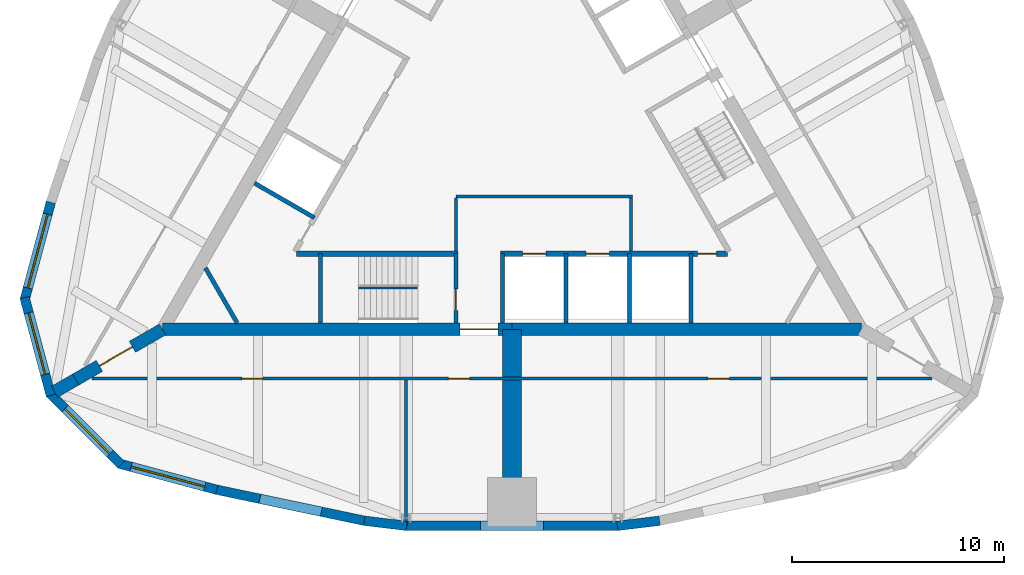
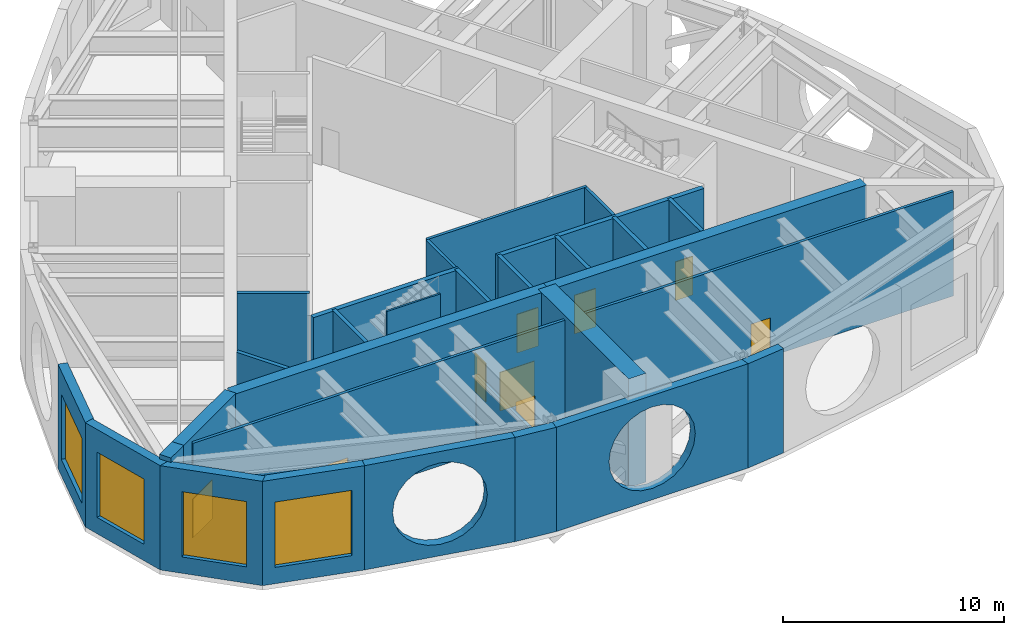
# One storey, part 2 of 6: 29 walls, 9 doors, 4 windows, 13 openings.
"""IFC4 building model written with IfcOpenShell, lengths in metres."""

import ifcopenshell
import ifcopenshell.guid

model = None  # the IFC model being written
_history = None  # IfcOwnerHistory: only IFC2X3 demands one
_inside = {}  # id of a spatial element -> (the spatial element, [elements in it])
_under = {}  # id of a project, library or spatial element -> (it, [spatial elements below it])
_declared = {}  # id of a project -> (the project, [libraries it declares])
_typed = {}  # id of a type object -> (the type object, [elements of that type])
_made_of = {}  # id of a material, layer set ... -> (it, [elements and type objects made of it])


def new_model(schema):
    """Start an empty IFC model of exactly this schema.

    Asked for "IFC4X3", IfcOpenShell would pick the latest addendum, in which some entities
    have other attributes; the version numbers below select the first issue.
    IFC2X3 requires an IfcOwnerHistory on every rooted entity: one is made here for all.
    """
    global model, _history
    if schema == "IFC4X3":
        model = ifcopenshell.file(schema_version=(4, 3, 0, 0))
    else:
        model = ifcopenshell.file(schema=schema)
    _inside.clear()
    _under.clear()
    _declared.clear()
    _typed.clear()
    _made_of.clear()
    _history = None
    if model.schema == "IFC2X3":
        org = make("IfcOrganization", Name="unknown")
        user = make(
            "IfcPersonAndOrganization",
            ThePerson=make("IfcPerson", FamilyName="unknown"),
            TheOrganization=org,
        )
        app = make(
            "IfcApplication",
            ApplicationDeveloper=org,
            Version="unknown",
            ApplicationFullName="unknown",
            ApplicationIdentifier="unknown",
        )
        _history = make(
            "IfcOwnerHistory",
            OwningUser=user,
            OwningApplication=app,
            ChangeAction="ADDED",
            CreationDate=0,
        )
    return model


def make(cls, **values):
    """One entity of the class cls with the attributes given. An attribute that is None is left unset."""
    return model.create_entity(
        cls, **{name: value for name, value in values.items() if value is not None}
    )


def rooted(cls, **values):
    """An entity with a GlobalId (a new one), such as an element, a storey or a relation."""
    return make(cls, GlobalId=ifcopenshell.guid.new(), OwnerHistory=_history, **values)


def si_unit(unit_type, name, prefix=None):
    """IfcSIUnit, for example si_unit("LENGTHUNIT", "METRE", prefix="MILLI")."""
    return make("IfcSIUnit", UnitType=unit_type, Prefix=prefix, Name=name)


def assignment(units):
    """IfcUnitAssignment: the units of a project."""
    return None if units is None else make("IfcUnitAssignment", Units=units)


def point(xyz):
    """IfcCartesianPoint."""
    return None if xyz is None else make("IfcCartesianPoint", Coordinates=xyz)


def direction(xyz):
    """IfcDirection."""
    return None if xyz is None else make("IfcDirection", DirectionRatios=xyz)


def frame(location, z_axis=None, x_axis=None):
    """IfcAxis2Placement3D, a coordinate frame: its origin and axes. An axis left out is left unset."""
    return make(
        "IfcAxis2Placement3D",
        Location=point(location),
        Axis=direction(z_axis),
        RefDirection=direction(x_axis),
    )


def frame_2d(location, x_axis=None):
    """IfcAxis2Placement2D, a coordinate frame in the plane: its origin and x axis."""
    return make(
        "IfcAxis2Placement2D", Location=point(location), RefDirection=direction(x_axis)
    )


def origin():
    """The frame at (0, 0, 0) with its axes left unset."""
    return frame((0.0, 0.0, 0.0))


def place(relative_to, where):
    """IfcLocalPlacement: puts the frame where relative to a parent placement (None: the world)."""
    return make(
        "IfcLocalPlacement", PlacementRelTo=relative_to, RelativePlacement=where
    )


def context(
    kind, dimensions, precision=None, world=None, true_north=None, identifier=None
):
    """IfcGeometricRepresentationContext, for example the 3D "Model" context."""
    return make(
        "IfcGeometricRepresentationContext",
        ContextIdentifier=identifier,
        ContextType=kind,
        CoordinateSpaceDimension=dimensions,
        Precision=precision,
        WorldCoordinateSystem=world,
        TrueNorth=true_north,
    )


def subcontext(parent, identifier, kind, view, scale=None):
    """IfcGeometricRepresentationSubContext, for example "Body" below "Model"."""
    return make(
        "IfcGeometricRepresentationSubContext",
        ContextIdentifier=identifier,
        ContextType=kind,
        ParentContext=parent,
        TargetScale=scale,
        TargetView=view,
    )


def project(units=None, contexts=None):
    """IfcProject with its units and contexts."""
    return rooted(
        "IfcProject",
        Name="project",
        RepresentationContexts=contexts,
        UnitsInContext=assignment(units),
    )


def spatial(cls, under=None, at=None, **own):
    """A site, building, storey or space (cls), placed at a placement, below another one or the project."""
    s = rooted(cls, ObjectPlacement=at, **own)
    if under is not None:
        _under.setdefault(under.id(), (under, []))[1].append(s)
    return s


def polyline(points):
    """IfcPolyline through the points."""
    return make("IfcPolyline", Points=[point(p) for p in points])


def profile(cls, at=None, kind="AREA", **sizes):
    """A parametric profile (cls). Its sizes go by their IFC names, for example OverallWidth=200.0."""
    return make(cls, ProfileType=kind, Position=at, **sizes)


def rectangle(**sizes):
    """IfcRectangleProfileDef."""
    return profile("IfcRectangleProfileDef", **sizes)


def outline(outer, holes=None, kind="AREA"):
    """IfcArbitraryClosedProfileDef: a profile drawn as a closed curve; with holes, ...WithVoids."""
    if holes is None:
        return make("IfcArbitraryClosedProfileDef", ProfileType=kind, OuterCurve=outer)
    return make(
        "IfcArbitraryProfileDefWithVoids",
        ProfileType=kind,
        OuterCurve=outer,
        InnerCurves=holes,
    )


def extrude(swept, where, along, depth):
    """IfcExtrudedAreaSolid: the profile swept, set in the frame where, extruded along a direction by depth."""
    return make(
        "IfcExtrudedAreaSolid",
        SweptArea=swept,
        Position=where,
        ExtrudedDirection=direction(along),
        Depth=depth,
    )


def shape(context_of_items, identifier, shape_type, items):
    """IfcShapeRepresentation: the items that make up one representation, for example the "Body"."""
    return make(
        "IfcShapeRepresentation",
        ContextOfItems=context_of_items,
        RepresentationIdentifier=identifier,
        RepresentationType=shape_type,
        Items=items,
    )


def material(Name=None, Category=None):
    """IfcMaterial."""
    return make("IfcMaterial", Name=Name, Category=Category)


def layer(
    of_material, thickness, ventilated=None, Name=None, Category=None, Priority=None
):
    """IfcMaterialLayer: one layer of a wall or slab, of a material (None: an air gap)."""
    return make(
        "IfcMaterialLayer",
        Material=of_material,
        LayerThickness=thickness,
        IsVentilated=ventilated,
        Name=Name,
        Category=Category,
        Priority=Priority,
    )


def layer_set(layers, Name=None):
    """IfcMaterialLayerSet."""
    return make("IfcMaterialLayerSet", MaterialLayers=layers, LayerSetName=Name)


def made_of(thing, what):
    """Note that an element or type object is made of a material, layer set ...; save() writes the relation."""
    if what is not None:
        _made_of.setdefault(what.id(), (what, []))[1].append(thing)
    return thing


def type_object(cls, material=None, **own):
    """A type object (cls), such as IfcWallType, which elements share."""
    return made_of(rooted(cls, **own), material)


def element(
    cls,
    number,
    at=None,
    inside=None,
    cuts=None,
    type_object=None,
    material=None,
    context=None,
    identifier="Body",
    shape_type=None,
    held_by="IfcProductDefinitionShape",
    body=None,
    shapes=None,
    **own,
):
    """One element of the class cls, such as IfcWall. Its Tag is "e" and its number.

    at: its placement. inside: the storey or other place that contains it. cuts: it is an
    opening in that element (IfcRelVoidsElement). A single representation is given by context,
    identifier, shape_type and body (its items); several are given by shapes. held_by: the class
    of the entity that holds the representations. save() writes the other relations.
    """
    e = rooted(cls, Tag="e%d" % number, ObjectPlacement=at, **own)
    if body is not None:
        shapes = [shape(context, identifier, shape_type, body)]
    if shapes is not None:
        e.Representation = make(held_by, Representations=shapes)
    if inside is not None:
        _inside.setdefault(inside.id(), (inside, []))[1].append(e)
    if cuts is not None:
        rooted(
            "IfcRelVoidsElement", RelatingBuildingElement=cuts, RelatedOpeningElement=e
        )
    if type_object is not None:
        _typed.setdefault(type_object.id(), (type_object, []))[1].append(e)
    return made_of(e, material)


def fill(opening, filler):
    """IfcRelFillsElement: the door or window that sits in an opening."""
    return rooted(
        "IfcRelFillsElement",
        RelatingOpeningElement=opening,
        RelatedBuildingElement=filler,
    )


def aggregate(whole, parts):
    """IfcRelAggregates: a whole, such as a stair, and the parts it consists of."""
    return rooted("IfcRelAggregates", RelatingObject=whole, RelatedObjects=parts)


def save(model, path):
    """Write the relations noted so far, then the file.

    IfcRelAggregates (storeys below a building ...), IfcRelContainedInSpatialStructure (elements
    in a storey), IfcRelDefinesByType, IfcRelAssociatesMaterial and IfcRelDeclares: one each for
    every whole, place, type object, material and project.
    """
    for whole, parts in _under.values():
        aggregate(whole, parts)
    for where, things in _inside.values():
        rooted(
            "IfcRelContainedInSpatialStructure",
            RelatedElements=things,
            RelatingStructure=where,
        )
    for kind, things in _typed.values():
        rooted("IfcRelDefinesByType", RelatedObjects=things, RelatingType=kind)
    for what, things in _made_of.values():
        rooted("IfcRelAssociatesMaterial", RelatedObjects=things, RelatingMaterial=what)
    for by, libraries in _declared.values():
        rooted("IfcRelDeclares", RelatingContext=by, RelatedDefinitions=libraries)
    model.write(path)


model = new_model("IFC4")

# Units and contexts
model_context = context("Model", 3, precision=1e-05, world=origin(), true_north=direction((0.0, 1.0)))
body_context = subcontext(model_context, "Body", "Model", "MODEL_VIEW")
ifc_project = project(units=[si_unit("LENGTHUNIT", "METRE"), si_unit("AREAUNIT", "SQUARE_METRE"), si_unit("VOLUMEUNIT", "CUBIC_METRE"), si_unit("PLANEANGLEUNIT", "RADIAN"), si_unit("MASSUNIT", "GRAM", prefix="KILO")], contexts=[model_context])

# Site, building, storey
site_placement = place(None, origin())
site = spatial("IfcSite", under=ifc_project, at=site_placement, CompositionType="ELEMENT")
building_placement = place(site_placement, origin())
building = spatial("IfcBuilding", under=site, at=building_placement, Name="Trikona Tower", CompositionType="ELEMENT")
storey_placement = place(building_placement, frame((0.0, 0.0, 275.300048828125)))
storey = spatial("IfcBuildingStorey", under=building, at=storey_placement, Name="L73", CompositionType="ELEMENT", Elevation=275.300048828125)

# Wall, opening, window
ifc_material_1 = material(Name="Brick-faced precast concrete", Category="masonry")
ifc_layer_1 = layer(ifc_material_1, 0.449951171875)
ifc_layer_set_1 = layer_set([ifc_layer_1], Name="Brick-faced corner wall 450")
wall_type_1 = type_object("IfcWallType", Name="Brick-faced corner wall 450", PredefinedType="SOLIDWALL", material=ifc_layer_set_1)
wall_1_placement = place(storey_placement, frame((-21.78271484375, -3.522216796875, 0.0), z_axis=(0.0, 0.0, 1.0), x_axis=(-0.25880328844, -0.965930048136, 0.0)))
wall_1 = element("IfcWall", 1, at=wall_1_placement, inside=storey, type_object=wall_type_1, Name="External wall L73-23", PredefinedType="SOLIDWALL", context=body_context, shape_type="SweptSolid", body=[
    extrude(rectangle(XDim=4.78173828125, YDim=0.449951171875, at=frame_2d((2.390869140625, 0.0))), origin(), (0.0, 0.0, 1.0), 5.75),
])
opening_1_placement = place(wall_1_placement, frame((0.5908203125, 0.0, 0.89990234375)))
opening_1 = element("IfcOpeningElement", 2, at=opening_1_placement, cuts=wall_1, Name="Opening W3636", PredefinedType="OPENING", context=body_context, shape_type="SweptSolid", body=[
    extrude(rectangle(XDim=3.60009765625, YDim=3.60009765625, at=frame_2d((1.800048828125, 1.800048828125))), frame((0.0, 0.23486328125, 0.0), z_axis=(0.0, -1.0, 0.0), x_axis=(1.0, 0.0, 0.0)), (0.0, 0.0, 1.0), 0.469970703125),
])
ifc_material_2 = material(Name="Aluminium-framed double glazing", Category="aluminium")
window_type_1 = type_object("IfcWindowType", Name="Window 3600x3600", PartitioningType="SINGLE_PANEL", PredefinedType="WINDOW", material=ifc_material_2)
window_1_placement = place(opening_1_placement, origin())
window_1 = element("IfcWindow", 3, at=window_1_placement, inside=storey, type_object=window_type_1, Name="Window L73-SMF", OverallHeight=3.60009765625, OverallWidth=3.60009765625, PartitioningType="SINGLE_PANEL", PredefinedType="WINDOW", context=body_context, shape_type="SweptSolid", body=[
    extrude(rectangle(XDim=3.60009765625, YDim=3.60009765625, at=frame_2d((1.800048828125, 1.800048828125))), frame((0.0, 0.030029296875, 0.0), z_axis=(0.0, -1.0, 0.0), x_axis=(1.0, 0.0, 0.0)), (0.0, 0.0, 1.0), 0.06005859375),
])
fill(opening_1, window_1)

wall_2_placement = place(storey_placement, frame((-23.020263671875, -8.024658203125, 0.0), z_axis=(0.0, 0.0, 1.0), x_axis=(0.25880328844, -0.965930048136, 0.0)))
wall_2 = element("IfcWall", 4, at=wall_2_placement, inside=storey, type_object=wall_type_1, Name="External wall L73-24", PredefinedType="SOLIDWALL", context=body_context, shape_type="SweptSolid", body=[
    extrude(outline(polyline([(4.78173828125, 0.22509765625), (4.72216796875, 0.22509765625), (4.37548828125, 0.132080078125), (4.3505859375, 0.22509765625), (0.0, 0.22509765625), (0.0, -0.22509765625), (4.78173828125, -0.22509765625), (4.78173828125, 0.22509765625)])), origin(), (0.0, 0.0, 1.0), 5.75),
])
opening_2_placement = place(wall_2_placement, frame((0.750244140625, 0.0, 0.89990234375)))
opening_2 = element("IfcOpeningElement", 5, at=opening_2_placement, cuts=wall_2, Name="Opening W3036", PredefinedType="OPENING", context=body_context, shape_type="SweptSolid", body=[
    extrude(rectangle(XDim=3.0, YDim=3.60009765625, at=frame_2d((1.5, 1.800048828125))), frame((0.0, 0.23486328125, 0.0), z_axis=(0.0, -1.0, 0.0), x_axis=(1.0, 0.0, 0.0)), (0.0, 0.0, 1.0), 0.469970703125),
])
ifc_material_3 = material(Name="Aluminium-framed double glazing", Category="aluminium")
window_type_2 = type_object("IfcWindowType", Name="Window 3000x3600", PartitioningType="SINGLE_PANEL", PredefinedType="WINDOW", material=ifc_material_3)
window_2_placement = place(opening_2_placement, origin())
window_2 = element("IfcWindow", 6, at=window_2_placement, inside=storey, type_object=window_type_2, Name="Window L73-SMF", OverallHeight=3.60009765625, OverallWidth=3.0, PartitioningType="SINGLE_PANEL", PredefinedType="WINDOW", context=body_context, shape_type="SweptSolid", body=[
    extrude(rectangle(XDim=3.0, YDim=3.60009765625, at=frame_2d((1.5, 1.800048828125))), frame((0.0, 0.030029296875, 0.0), z_axis=(0.0, -1.0, 0.0), x_axis=(1.0, 0.0, 0.0)), (0.0, 0.0, 1.0), 0.06005859375),
])
fill(opening_2, window_2)

wall_3_placement = place(storey_placement, frame((-21.8408203125, -12.54248046875, 0.0), z_axis=(0.0, 0.0, 1.0), x_axis=(0.707081252484, -0.707132308968, 0.0)))
wall_3 = element("IfcWall", 7, at=wall_3_placement, inside=storey, type_object=wall_type_1, Name="External wall L73-25", PredefinedType="SOLIDWALL", context=body_context, shape_type="SweptSolid", body=[
    extrude(outline(polyline([(4.78173828125, 0.22509765625), (0.43115234375, 0.22509765625), (0.40625, 0.1318359375), (0.058837890625, 0.22509765625), (0.0, 0.22509765625), (0.0, -0.22509765625), (4.78173828125, -0.22509765625), (4.78173828125, 0.22509765625)])), origin(), (0.0, 0.0, 1.0), 5.75),
])
opening_3_placement = place(wall_3_placement, frame((1.031494140625, 0.0, 0.89990234375)))
opening_3 = element("IfcOpeningElement", 8, at=opening_3_placement, cuts=wall_3, Name="Opening W3036", PredefinedType="OPENING", context=body_context, shape_type="SweptSolid", body=[
    extrude(rectangle(XDim=3.0, YDim=3.60009765625, at=frame_2d((1.5, 1.800048828125))), frame((0.0, 0.23486328125, 0.0), z_axis=(0.0, -1.0, 0.0), x_axis=(1.0, 0.0, 0.0)), (0.0, 0.0, 1.0), 0.469970703125),
])
window_3_placement = place(opening_3_placement, origin())
window_3 = element("IfcWindow", 9, at=window_3_placement, inside=storey, type_object=window_type_2, Name="Window L73-KEX", OverallHeight=3.60009765625, OverallWidth=3.0, PartitioningType="SINGLE_PANEL", PredefinedType="WINDOW", context=body_context, shape_type="SweptSolid", body=[
    extrude(rectangle(XDim=3.0, YDim=3.60009765625, at=frame_2d((1.5, 1.800048828125))), frame((0.0, 0.030029296875, 0.0), z_axis=(0.0, -1.0, 0.0), x_axis=(1.0, 0.0, 0.0)), (0.0, 0.0, 1.0), 0.06005859375),
])
fill(opening_3, window_3)

wall_4_placement = place(storey_placement, frame((-18.560546875, -15.865478515625, 0.0), z_axis=(0.0, 0.0, 1.0), x_axis=(0.965913862671, -0.258863689806, 0.0)))
wall_4 = element("IfcWall", 10, at=wall_4_placement, inside=storey, type_object=wall_type_1, Name="External wall L73-26", PredefinedType="SOLIDWALL", context=body_context, shape_type="SweptSolid", body=[
    extrude(rectangle(XDim=4.78173828125, YDim=0.449951171875, at=frame_2d((2.390869140625, 0.0))), origin(), (0.0, 0.0, 1.0), 5.75),
])
opening_4_placement = place(wall_4_placement, frame((0.5908203125, 0.0, 0.89990234375)))
opening_4 = element("IfcOpeningElement", 11, at=opening_4_placement, cuts=wall_4, Name="Opening W3636", PredefinedType="OPENING", context=body_context, shape_type="SweptSolid", body=[
    extrude(rectangle(XDim=3.60009765625, YDim=3.60009765625, at=frame_2d((1.800048828125, 1.800048828125))), frame((0.0, 0.23486328125, 0.0), z_axis=(0.0, -1.0, 0.0), x_axis=(1.0, 0.0, 0.0)), (0.0, 0.0, 1.0), 0.469970703125),
])
window_4_placement = place(opening_4_placement, origin())
window_4 = element("IfcWindow", 12, at=window_4_placement, inside=storey, type_object=window_type_1, Name="Window L73-KEX", OverallHeight=3.60009765625, OverallWidth=3.60009765625, PartitioningType="SINGLE_PANEL", PredefinedType="WINDOW", context=body_context, shape_type="SweptSolid", body=[
    extrude(rectangle(XDim=3.60009765625, YDim=3.60009765625, at=frame_2d((1.800048828125, 1.800048828125))), frame((0.0, 0.030029296875, 0.0), z_axis=(0.0, -1.0, 0.0), x_axis=(1.0, 0.0, 0.0)), (0.0, 0.0, 1.0), 0.06005859375),
])
fill(opening_4, window_4)

# Walls
ifc_material_4 = material(Name="Brick-faced precast concrete with louvred openings", Category="masonry")
ifc_layer_2 = layer(ifc_material_4, 0.449951171875)
ifc_layer_set_2 = layer_set([ifc_layer_2], Name="Brick-faced plant wall 450")
wall_type_2 = type_object("IfcWallType", Name="Brick-faced plant wall 450", PredefinedType="SOLIDWALL", material=ifc_layer_set_2)
wall_5_placement = place(storey_placement, frame((-13.953857421875, -17.100341796875, 0.0), z_axis=(0.0, 0.0, 1.0), x_axis=(0.978654320409, -0.205513311355, 0.0)))
element("IfcWall", 13, at=wall_5_placement, inside=storey, type_object=wall_type_2, Name="External wall L73-00", PredefinedType="SOLIDWALL", context=body_context, shape_type="SweptSolid", body=[
    extrude(outline(polyline([(0.0, 0.0), (7.152587890625, 0.0), (7.152587890625, 5.75), (0.0, 5.75), (0.0, 0.0)]), holes=[polyline([(5.826416015625, 2.875), (5.749755859375, 3.457275390625), (5.52490234375, 4.0), (5.167236328125, 4.466064453125), (4.701416015625, 4.823486328125), (4.15869140625, 5.04833984375), (3.576416015625, 5.125), (2.993896484375, 5.04833984375), (2.451416015625, 4.823486328125), (1.9853515625, 4.466064453125), (1.627685546875, 4.0), (1.403076171875, 3.457275390625), (1.326416015625, 2.875), (1.403076171875, 2.292724609375), (1.627685546875, 1.75), (1.9853515625, 1.283935546875), (2.451416015625, 0.92626953125), (2.993896484375, 0.70166015625), (3.576416015625, 0.625), (4.15869140625, 0.70166015625), (4.701416015625, 0.92626953125), (5.167236328125, 1.283935546875), (5.52490234375, 1.75), (5.749755859375, 2.292724609375), (5.826416015625, 2.875)])]), frame((0.0, 0.22509765625, 0.0), z_axis=(0.0, -1.0, 0.0), x_axis=(1.0, 0.0, 0.0)), (0.0, 0.0, 1.0), 0.449951171875),
])
wall_6_placement = place(storey_placement, frame((-6.97314453125, -18.567138671875, 0.0), z_axis=(0.0, 0.0, 1.0), x_axis=(0.992877411981, -0.119140441403, 0.0)))
element("IfcWall", 14, at=wall_6_placement, inside=storey, type_object=wall_type_2, Name="External wall L73-01", PredefinedType="SOLIDWALL", context=body_context, shape_type="SweptSolid", body=[
    extrude(rectangle(XDim=2.014404296875, YDim=0.449951171875, at=frame_2d((1.00732421875, 0.0))), origin(), (0.0, 0.0, 1.0), 5.75),
])
wall_7_placement = place(storey_placement, frame((-5.0, -18.805419921875, 0.0), z_axis=(0.0, 0.0, 1.0), x_axis=(1.0, 0.0, 0.0)))
element("IfcWall", 15, at=wall_7_placement, inside=storey, type_object=wall_type_2, Name="External wall L73-02", PredefinedType="SOLIDWALL", context=body_context, shape_type="SweptSolid", body=[
    extrude(outline(polyline([(0.0, 0.0), (10.0, 0.0), (10.0, 5.75), (0.0, 5.75), (0.0, 0.0)]), holes=[polyline([(7.25, 2.875), (7.17333984375, 3.457275390625), (6.948486328125, 4.0), (6.591064453125, 4.466064453125), (6.125, 4.823486328125), (5.582275390625, 5.04833984375), (5.0, 5.125), (4.417724609375, 5.04833984375), (3.875, 4.823486328125), (3.408935546875, 4.466064453125), (3.051513671875, 4.0), (2.82666015625, 3.457275390625), (2.75, 2.875), (2.82666015625, 2.292724609375), (3.051513671875, 1.75), (3.408935546875, 1.283935546875), (3.875, 0.92626953125), (4.417724609375, 0.70166015625), (5.0, 0.625), (5.582275390625, 0.70166015625), (6.125, 0.92626953125), (6.591064453125, 1.283935546875), (6.948486328125, 1.75), (7.17333984375, 2.292724609375), (7.25, 2.875)])]), frame((0.0, 0.22509765625, 0.0), z_axis=(0.0, -1.0, 0.0), x_axis=(1.0, 0.0, 0.0)), (0.0, 0.0, 1.0), 0.449951171875),
])
wall_8_placement = place(storey_placement, frame((4.97314453125, -18.80712890625, 0.0), z_axis=(0.0, 0.0, 1.0), x_axis=(0.992877411981, 0.119140441403, 0.0)))
element("IfcWall", 16, at=wall_8_placement, inside=storey, type_object=wall_type_2, Name="External wall L73-03", PredefinedType="SOLIDWALL", context=body_context, shape_type="SweptSolid", body=[
    extrude(rectangle(XDim=2.014404296875, YDim=0.449951171875, at=frame_2d((1.00732421875, 0.0))), origin(), (0.0, 0.0, 1.0), 5.75),
])

# Wall, opening, door
ifc_material_5 = material(Name="Concrete f'c 10000 psi", Category="concrete")
ifc_layer_3 = layer(ifc_material_5, 0.60009765625)
ifc_layer_set_3 = layer_set([ifc_layer_3], Name="Buttress wall 600")
wall_type_3 = type_object("IfcWallType", Name="Buttress wall 600", PredefinedType="SHEAR", material=ifc_layer_set_3)
wall_9_placement = place(storey_placement, frame((-16.5, -9.5263671875, 0.0), z_axis=(0.0, 0.0, 1.0), x_axis=(-0.866031398331, -0.499989616998, 0.0)))
wall_9 = element("IfcWall", 17, at=wall_9_placement, inside=storey, type_object=wall_type_3, Name="Buttress wall 3", PredefinedType="SHEAR", context=body_context, shape_type="SweptSolid", body=[
    extrude(rectangle(XDim=4.74609375, YDim=0.60009765625, at=frame_2d((2.373046875, 0.0))), origin(), (0.0, 0.0, 1.0), 6.0),
])
opening_5_placement = place(wall_9_placement, frame((1.64990234375, 0.0, 0.0)))
opening_5 = element("IfcOpeningElement", 18, at=opening_5_placement, cuts=wall_9, Name="Opening D10", PredefinedType="OPENING", context=body_context, shape_type="SweptSolid", body=[
    extrude(rectangle(XDim=1.800048828125, YDim=2.1298828125, at=frame_2d((0.89990234375, 1.06494140625))), frame((0.0, 0.31005859375, 0.0), z_axis=(0.0, -1.0, 0.0), x_axis=(1.0, 0.0, 0.0)), (0.0, 0.0, 1.0), 0.6201171875),
])
ifc_material_6 = material(Name="Hollow metal door and frame", Category="steel")
door_type_1 = type_object("IfcDoorType", Name="Cross-corridor door pair 1800x2130", OperationType="DOUBLE_DOOR_DOUBLE_SWING", PredefinedType="DOOR", material=ifc_material_6)
door_1_placement = place(opening_5_placement, origin())
door_1 = element("IfcDoor", 19, at=door_1_placement, inside=storey, type_object=door_type_1, Name="Cross-corridor door 3", OperationType="DOUBLE_DOOR_DOUBLE_SWING", OverallHeight=2.1298828125, OverallWidth=1.800048828125, PredefinedType="DOOR", context=body_context, shape_type="SweptSolid", body=[
    extrude(rectangle(XDim=1.800048828125, YDim=2.1298828125, at=frame_2d((0.89990234375, 1.06494140625))), frame((0.0, 0.02490234375, 0.0), z_axis=(0.0, -1.0, 0.0), x_axis=(1.0, 0.0, 0.0)), (0.0, 0.0, 1.0), 0.050048828125),
])
fill(opening_5, door_1)

# Wall
wall_10_placement = place(storey_placement, frame((-20.6103515625, -11.8994140625, 0.0), z_axis=(0.0, 0.0, 1.0), x_axis=(-0.866009537788, -0.500027479704, 0.0)))
element("IfcWall", 20, at=wall_10_placement, inside=storey, type_object=wall_type_3, Name="Buttress wall 3 part 2", PredefinedType="SHEAR", context=body_context, shape_type="SweptSolid", body=[
    extrude(rectangle(XDim=1.15478515625, YDim=0.60009765625, at=frame_2d((0.577392578125, 0.0))), origin(), (0.0, 0.0, 1.0), 6.0),
])

# Wall, opening, door
ifc_material_7 = material(Name="Concrete f'c 10000 psi", Category="concrete")
ifc_layer_4 = layer(ifc_material_7, 0.60009765625)
ifc_layer_set_4 = layer_set([ifc_layer_4], Name="Core wall 600")
wall_type_4 = type_object("IfcWallType", Name="Core wall 600", PredefinedType="SHEAR", material=ifc_layer_set_4)
wall_11_placement = place(storey_placement, frame((-16.5, -9.5263671875, 0.0), z_axis=(0.0, 0.0, 1.0), x_axis=(1.0, 0.0, 0.0)))
wall_11 = element("IfcWall", 21, at=wall_11_placement, inside=storey, type_object=wall_type_4, Name="Core wall A1", PredefinedType="SHEAR", context=body_context, shape_type="SweptSolid", body=[
    extrude(rectangle(XDim=16.5, YDim=0.60009765625, at=frame_2d((8.25, 0.0))), origin(), (0.0, 0.0, 1.0), 6.0),
])
opening_6_placement = place(wall_11_placement, frame((14.050048828125, 0.0, 0.0)))
opening_6 = element("IfcOpeningElement", 22, at=opening_6_placement, cuts=wall_11, Name="Opening D6", PredefinedType="OPENING", context=body_context, shape_type="SweptSolid", body=[
    extrude(rectangle(XDim=1.800048828125, YDim=2.1298828125, at=frame_2d((0.89990234375, 1.06494140625))), frame((0.0, 0.31005859375, 0.0), z_axis=(0.0, -1.0, 0.0), x_axis=(1.0, 0.0, 0.0)), (0.0, 0.0, 1.0), 0.6201171875),
])
ifc_material_8 = material(Name="Hollow metal door and frame", Category="steel")
door_type_2 = type_object("IfcDoorType", Name="Lobby door pair 1800x2130", OperationType="DOUBLE_DOOR_SINGLE_SWING", PredefinedType="DOOR", material=ifc_material_8)
door_2_placement = place(opening_6_placement, origin())
door_2 = element("IfcDoor", 23, at=door_2_placement, inside=storey, type_object=door_type_2, Name="Fire service lift lobby door", OperationType="DOUBLE_DOOR_SINGLE_SWING", OverallHeight=2.1298828125, OverallWidth=1.800048828125, PredefinedType="DOOR", context=body_context, shape_type="SweptSolid", body=[
    extrude(rectangle(XDim=1.800048828125, YDim=2.1298828125, at=frame_2d((0.89990234375, 1.06494140625))), frame((0.0, 0.02490234375, 0.0), z_axis=(0.0, -1.0, 0.0), x_axis=(1.0, 0.0, 0.0)), (0.0, 0.0, 1.0), 0.050048828125),
])
fill(opening_6, door_2)

# Wall
wall_12_placement = place(storey_placement, frame((0.0, -9.5263671875, 0.0), z_axis=(0.0, 0.0, 1.0), x_axis=(1.0, 0.0, 0.0)))
element("IfcWall", 24, at=wall_12_placement, inside=storey, type_object=wall_type_4, Name="Core wall A2", PredefinedType="SHEAR", context=body_context, shape_type="SweptSolid", body=[
    extrude(rectangle(XDim=16.5, YDim=0.60009765625, at=frame_2d((8.25, 0.0))), origin(), (0.0, 0.0, 1.0), 6.0),
])

# Wall, openings, doors
ifc_material_9 = material(Name="Metal stud and gypsum board, 1-hour", Category="gypsum")
ifc_layer_5 = layer(ifc_material_9, 0.14990234375)
ifc_layer_set_5 = layer_set([ifc_layer_5], Name="Corridor wall 150")
wall_type_5 = type_object("IfcWallType", Name="Corridor wall 150", PredefinedType="PARTITIONING", material=ifc_layer_set_5)
wall_13_placement = place(storey_placement, frame((-19.826904296875, -11.851318359375, 0.0), z_axis=(0.0, 0.0, 1.0), x_axis=(1.0, 0.0, 0.0)))
wall_13 = element("IfcWall", 25, at=wall_13_placement, inside=storey, type_object=wall_type_5, Name="Corridor wall L73-1", PredefinedType="PARTITIONING", context=body_context, shape_type="SweptSolid", body=[
    extrude(rectangle(XDim=39.65380859375, YDim=0.14990234375, at=frame_2d((19.826904296875, 0.0))), origin(), (0.0, 0.0, 1.0), 5.75),
])
opening_7_placement = place(wall_13_placement, frame((7.0634765625, 0.0, 0.0)))
opening_7 = element("IfcOpeningElement", 26, at=opening_7_placement, cuts=wall_13, Name="Opening D3", PredefinedType="OPENING", context=body_context, shape_type="SweptSolid", body=[
    extrude(rectangle(XDim=1.0, YDim=2.1298828125, at=frame_2d((0.5, 1.06494140625))), frame((0.0, 0.0849609375, 0.0), z_axis=(0.0, -1.0, 0.0), x_axis=(1.0, 0.0, 0.0)), (0.0, 0.0, 1.0), 0.169921875),
])
opening_8_placement = place(wall_13_placement, frame((16.826904296875, 0.0, 0.0)))
opening_8 = element("IfcOpeningElement", 27, at=opening_8_placement, cuts=wall_13, Name="Opening D3", PredefinedType="OPENING", context=body_context, shape_type="SweptSolid", body=[
    extrude(rectangle(XDim=1.0, YDim=2.1298828125, at=frame_2d((0.5, 1.06494140625))), frame((0.0, 0.0849609375, 0.0), z_axis=(0.0, -1.0, 0.0), x_axis=(1.0, 0.0, 0.0)), (0.0, 0.0, 1.0), 0.169921875),
])
opening_9_placement = place(wall_13_placement, frame((29.090576171875, 0.0, 0.0)))
opening_9 = element("IfcOpeningElement", 28, at=opening_9_placement, cuts=wall_13, Name="Opening D3", PredefinedType="OPENING", context=body_context, shape_type="SweptSolid", body=[
    extrude(rectangle(XDim=1.0, YDim=2.1298828125, at=frame_2d((0.5, 1.06494140625))), frame((0.0, 0.0849609375, 0.0), z_axis=(0.0, -1.0, 0.0), x_axis=(1.0, 0.0, 0.0)), (0.0, 0.0, 1.0), 0.169921875),
])
ifc_material_10 = material(Name="Steel door frame with solid-core timber leaf", Category="steel")
door_type_3 = type_object("IfcDoorType", Name="Room door 1000x2130", OperationType="SINGLE_SWING_LEFT", PredefinedType="DOOR", material=ifc_material_10)
door_3_placement = place(opening_7_placement, origin())
door_3 = element("IfcDoor", 29, at=door_3_placement, inside=storey, type_object=door_type_3, Name="Door Kitchen exhaust plant", OperationType="SINGLE_SWING_LEFT", OverallHeight=2.1298828125, OverallWidth=1.0, PredefinedType="DOOR", context=body_context, shape_type="SweptSolid", body=[
    extrude(rectangle(XDim=1.0, YDim=2.1298828125, at=frame_2d((0.5, 1.06494140625))), frame((0.0, 0.02490234375, 0.0), z_axis=(0.0, -1.0, 0.0), x_axis=(1.0, 0.0, 0.0)), (0.0, 0.0, 1.0), 0.050048828125),
])
fill(opening_7, door_3)
door_4_placement = place(opening_8_placement, origin())
door_4 = element("IfcDoor", 30, at=door_4_placement, inside=storey, type_object=door_type_3, Name="Door Make-up air plant", OperationType="SINGLE_SWING_RIGHT", OverallHeight=2.1298828125, OverallWidth=1.0, PredefinedType="DOOR", context=body_context, shape_type="SweptSolid", body=[
    extrude(rectangle(XDim=1.0, YDim=2.1298828125, at=frame_2d((0.5, 1.06494140625))), frame((0.0, 0.02490234375, 0.0), z_axis=(0.0, -1.0, 0.0), x_axis=(1.0, 0.0, 0.0)), (0.0, 0.0, 1.0), 0.050048828125),
])
fill(opening_8, door_4)
door_5_placement = place(opening_9_placement, origin())
door_5 = element("IfcDoor", 31, at=door_5_placement, inside=storey, type_object=door_type_3, Name="Door Refuge area", OperationType="SINGLE_SWING_LEFT", OverallHeight=2.1298828125, OverallWidth=1.0, PredefinedType="DOOR", context=body_context, shape_type="SweptSolid", body=[
    extrude(rectangle(XDim=1.0, YDim=2.1298828125, at=frame_2d((0.5, 1.06494140625))), frame((0.0, 0.02490234375, 0.0), z_axis=(0.0, -1.0, 0.0), x_axis=(1.0, 0.0, 0.0)), (0.0, 0.0, 1.0), 0.050048828125),
])
fill(opening_9, door_5)

# Wall
ifc_material_11 = material(Name="Concrete f'c 8000 psi", Category="concrete")
ifc_layer_6 = layer(ifc_material_11, 0.25)
ifc_layer_set_6 = layer_set([ifc_layer_6], Name="Hub wall 250")
wall_type_6 = type_object("IfcWallType", Name="Hub wall 250", PredefinedType="SOLIDWALL", material=ifc_layer_set_6)
wall_14_placement = place(storey_placement, frame((-10.182861328125, -5.951416015625, 0.0), z_axis=(0.0, 0.0, 1.0), x_axis=(1.0, 0.0, 0.0)))
element("IfcWall", 32, at=wall_14_placement, inside=storey, type_object=wall_type_6, Name="Lift lobby wall A1", PredefinedType="SOLIDWALL", context=body_context, shape_type="SweptSolid", body=[
    extrude(rectangle(XDim=7.6328125, YDim=0.25, at=frame_2d((3.81640625, 0.0))), origin(), (0.0, 0.0, 1.0), 5.75),
])

# Wall, openings, doors
wall_15_placement = place(storey_placement, frame((-0.550048828125, -5.951416015625, 0.0), z_axis=(0.0, 0.0, 1.0), x_axis=(1.0, 0.0, 0.0)))
wall_15 = element("IfcWall", 33, at=wall_15_placement, inside=storey, type_object=wall_type_6, Name="Lift lobby wall A2", PredefinedType="SOLIDWALL", context=body_context, shape_type="SweptSolid", body=[
    extrude(rectangle(XDim=10.73291015625, YDim=0.25, at=frame_2d((5.366455078125, 0.0))), origin(), (0.0, 0.0, 1.0), 5.75),
])
opening_10_placement = place(wall_15_placement, frame((9.31396484375, 0.0, 0.0)))
opening_10 = element("IfcOpeningElement", 34, at=opening_10_placement, cuts=wall_15, Name="Opening D14", PredefinedType="OPENING", context=body_context, shape_type="SweptSolid", body=[
    extrude(rectangle(XDim=0.89990234375, YDim=2.1298828125, at=frame_2d((0.449951171875, 1.06494140625))), frame((0.0, 0.135009765625, 0.0), z_axis=(0.0, -1.0, 0.0), x_axis=(1.0, 0.0, 0.0)), (0.0, 0.0, 1.0), 0.27001953125),
])
opening_11_placement = place(wall_15_placement, frame((1.050048828125, 0.0, 0.0)))
opening_11 = element("IfcOpeningElement", 35, at=opening_11_placement, cuts=wall_15, Name="Opening LD", PredefinedType="OPENING", context=body_context, shape_type="SweptSolid", body=[
    extrude(rectangle(XDim=1.10009765625, YDim=2.1298828125, at=frame_2d((0.550048828125, 1.06494140625))), frame((0.0, 0.135009765625, 0.0), z_axis=(0.0, -1.0, 0.0), x_axis=(1.0, 0.0, 0.0)), (0.0, 0.0, 1.0), 0.27001953125),
])
opening_12_placement = place(wall_15_placement, frame((4.050048828125, 0.0, 0.0)))
opening_12 = element("IfcOpeningElement", 36, at=opening_12_placement, cuts=wall_15, Name="Opening LD", PredefinedType="OPENING", context=body_context, shape_type="SweptSolid", body=[
    extrude(rectangle(XDim=1.10009765625, YDim=2.1298828125, at=frame_2d((0.550048828125, 1.06494140625))), frame((0.0, 0.135009765625, 0.0), z_axis=(0.0, -1.0, 0.0), x_axis=(1.0, 0.0, 0.0)), (0.0, 0.0, 1.0), 0.27001953125),
])
ifc_material_12 = material(Name="Stainless steel lift landing door", Category="steel")
door_type_4 = type_object("IfcDoorType", Name="Lift landing door 1100x2130", OperationType="DOUBLE_DOOR_SLIDING", PredefinedType="USERDEFINED", material=ifc_material_12)
door_6_placement = place(opening_11_placement, origin())
door_6 = element("IfcDoor", 37, at=door_6_placement, inside=storey, type_object=door_type_4, Name="Lift landing door FF1", ObjectType="LIFT LANDING DOOR", OperationType="DOUBLE_DOOR_SLIDING", OverallHeight=2.1298828125, OverallWidth=1.10009765625, PredefinedType="USERDEFINED", context=body_context, shape_type="SweptSolid", body=[
    extrude(rectangle(XDim=1.10009765625, YDim=2.1298828125, at=frame_2d((0.550048828125, 1.06494140625))), frame((0.0, 0.02490234375, 0.0), z_axis=(0.0, -1.0, 0.0), x_axis=(1.0, 0.0, 0.0)), (0.0, 0.0, 1.0), 0.050048828125),
])
fill(opening_11, door_6)
door_7_placement = place(opening_12_placement, origin())
door_7 = element("IfcDoor", 38, at=door_7_placement, inside=storey, type_object=door_type_4, Name="Lift landing door FF2", ObjectType="LIFT LANDING DOOR", OperationType="DOUBLE_DOOR_SLIDING", OverallHeight=2.1298828125, OverallWidth=1.10009765625, PredefinedType="USERDEFINED", context=body_context, shape_type="SweptSolid", body=[
    extrude(rectangle(XDim=1.10009765625, YDim=2.1298828125, at=frame_2d((0.550048828125, 1.06494140625))), frame((0.0, 0.02490234375, 0.0), z_axis=(0.0, -1.0, 0.0), x_axis=(1.0, 0.0, 0.0)), (0.0, 0.0, 1.0), 0.050048828125),
])
fill(opening_12, door_7)
ifc_material_13 = material(Name="Hollow metal door and frame", Category="steel")
door_type_5 = type_object("IfcDoorType", Name="Service room door 900x2130", OperationType="SINGLE_SWING_LEFT", PredefinedType="DOOR", material=ifc_material_13)
door_8_placement = place(opening_10_placement, origin())
door_8 = element("IfcDoor", 39, at=door_8_placement, inside=storey, type_object=door_type_5, Name="Door Plant store PST", OperationType="SINGLE_SWING_RIGHT", OverallHeight=2.1298828125, OverallWidth=0.89990234375, PredefinedType="DOOR", context=body_context, shape_type="SweptSolid", body=[
    extrude(rectangle(XDim=0.89990234375, YDim=2.1298828125, at=frame_2d((0.449951171875, 1.06494140625))), frame((0.0, 0.02490234375, 0.0), z_axis=(0.0, -1.0, 0.0), x_axis=(1.0, 0.0, 0.0)), (0.0, 0.0, 1.0), 0.050048828125),
])
fill(opening_10, door_8)

# Walls
ifc_material_14 = material(Name="Metal stud and gypsum board, 2-hour shaft wall", Category="gypsum")
ifc_layer_7 = layer(ifc_material_14, 0.14990234375)
ifc_layer_set_7 = layer_set([ifc_layer_7], Name="Lobby wall 150")
wall_type_7 = type_object("IfcWallType", Name="Lobby wall 150", PredefinedType="PARTITIONING", material=ifc_layer_set_7)
wall_16_placement = place(storey_placement, frame((-2.64990234375, -3.251220703125, 0.0), z_axis=(0.0, 0.0, 1.0), x_axis=(1.0, 0.0, 0.0)))
element("IfcWall", 40, at=wall_16_placement, inside=storey, type_object=wall_type_7, Name="Fire service lift lobby wall 1", PredefinedType="PARTITIONING", context=body_context, shape_type="SweptSolid", body=[
    extrude(rectangle(XDim=8.349853515625, YDim=0.14990234375, at=frame_2d((4.1748046875, 0.0))), origin(), (0.0, 0.0, 1.0), 5.75),
])
for number, where, z_axis, x_axis, name in (
    (41, (-2.64990234375, -5.826416015625, 0.0), (0.0, 0.0, 1.0), (0.0, 1.0, 0.0), "Fire service lift lobby wall 2"),
    (42, (5.625, -5.826416015625, 0.0), (0.0, 0.0, 1.0), (0.0, 1.0, 0.0), "Fire service lift lobby wall 3"),
):
    element("IfcWall", number, at=place(storey_placement, frame(where, z_axis=z_axis, x_axis=x_axis)), inside=storey, type_object=wall_type_7, Name=name, PredefinedType="PARTITIONING", context=body_context, shape_type="SweptSolid", body=[
        extrude(rectangle(XDim=2.5, YDim=0.14990234375, at=frame_2d((1.25, 0.0))), origin(), (0.0, 0.0, 1.0), 5.75),
    ])
ifc_material_15 = material(Name="Concrete f'c 10000 psi", Category="concrete")
ifc_layer_8 = layer(ifc_material_15, 0.89990234375)
ifc_layer_set_8 = layer_set([ifc_layer_8], Name="Outrigger wall 900")
wall_type_8 = type_object("IfcWallType", Name="Outrigger wall 900", PredefinedType="SHEAR", material=ifc_layer_set_8)
wall_17_placement = place(storey_placement, frame((0.0, -9.5263671875, 0.0), z_axis=(0.0, 0.0, 1.0), x_axis=(0.0, -1.0, 0.0)))
element("IfcWall", 43, at=wall_17_placement, inside=storey, type_object=wall_type_8, Name="Outrigger wall 1", PredefinedType="SHEAR", context=body_context, shape_type="SweptSolid", body=[
    extrude(rectangle(XDim=8.154052734375, YDim=0.89990234375, at=frame_2d((4.0771484375, 0.0))), origin(), (0.0, 0.0, 1.0), 6.0),
])
ifc_material_16 = material(Name="Metal stud and gypsum board, 1-hour acoustic", Category="gypsum")
ifc_layer_9 = layer(ifc_material_16, 0.14990234375)
ifc_layer_set_9 = layer_set([ifc_layer_9], Name="Party wall 150")
wall_type_9 = type_object("IfcWallType", Name="Party wall 150", PredefinedType="PARTITIONING", material=ifc_layer_set_9)
wall_18_placement = place(storey_placement, frame((-5.0, -11.92626953125, 0.0), z_axis=(0.0, 0.0, 1.0), x_axis=(0.0, -1.0, 0.0)))
element("IfcWall", 44, at=wall_18_placement, inside=storey, type_object=wall_type_9, Name="Partition L73 F1 u-5", PredefinedType="PARTITIONING", context=body_context, shape_type="SweptSolid", body=[
    extrude(rectangle(XDim=6.8525390625, YDim=0.14990234375, at=frame_2d((3.42626953125, 0.0))), origin(), (0.0, 0.0, 1.0), 4.349853515625),
])
ifc_material_17 = material(Name="Concrete f'c 8000 psi", Category="concrete")
ifc_layer_10 = layer(ifc_material_17, 0.199951171875)
ifc_layer_set_10 = layer_set([ifc_layer_10], Name="Shaft wall 200")
wall_type_10 = type_object("IfcWallType", Name="Shaft wall 200", PredefinedType="SOLIDWALL", material=ifc_layer_set_10)
for number, where, z_axis, x_axis, name in (
    (45, (-0.449951171875, -5.951416015625, 0.0), (0.0, 0.0, 1.0), (0.0, -1.0, 0.0), "Shaft wall A3"),
    (46, (2.550048828125, -5.951416015625, 0.0), (0.0, 0.0, 1.0), (0.0, -1.0, 0.0), "Shaft wall A4"),
    (47, (5.550048828125, -5.951416015625, 0.0), (0.0, 0.0, 1.0), (0.0, -1.0, 0.0), "Shaft wall A5"),
    (48, (8.449951171875, -5.951416015625, 0.0), (0.0, 0.0, 1.0), (0.0, -1.0, 0.0), "Shaft wall A6"),
    (49, (-9.3291015625, -4.255615234375, 0.0), (0.0, 0.0, 1.0), (-0.866027924134, 0.499995634601, 0.0), "Shaft wall C6"),
):
    element("IfcWall", number, at=place(storey_placement, frame(where, z_axis=z_axis, x_axis=x_axis)), inside=storey, type_object=wall_type_10, Name=name, PredefinedType="SOLIDWALL", context=body_context, shape_type="SweptSolid", body=[
        extrude(rectangle(XDim=3.27490234375, YDim=0.199951171875, at=frame_2d((1.637451171875, 0.0))), origin(), (0.0, 0.0, 1.0), 5.75),
    ])
wall_19_placement = place(storey_placement, frame((-12.978271484375, -9.226318359375, 0.0), z_axis=(0.0, 0.0, 1.0), x_axis=(-0.499952404951, 0.866052881055, 0.0)))
element("IfcWall", 50, at=wall_19_placement, inside=storey, type_object=wall_type_10, Name="Riser wall L73-RS3", PredefinedType="SOLIDWALL", context=body_context, shape_type="SweptSolid", body=[
    extrude(rectangle(XDim=3.002197265625, YDim=0.199951171875, at=frame_2d((1.5009765625, 0.0))), origin(), (0.0, 0.0, 1.0), 5.75),
])
ifc_material_18 = material(Name="Concrete f'c 8000 psi", Category="concrete")
ifc_layer_11 = layer(ifc_material_18, 0.199951171875)
ifc_layer_set_11 = layer_set([ifc_layer_11], Name="Shaft wall 200 load-bearing")
wall_type_11 = type_object("IfcWallType", Name="Shaft wall 200 load-bearing", PredefinedType="SOLIDWALL", material=ifc_layer_set_11)
wall_20_placement = place(storey_placement, frame((-9.050048828125, -5.951416015625, 0.0), z_axis=(0.0, 0.0, 1.0), x_axis=(0.0, -1.0, 0.0)))
element("IfcWall", 51, at=wall_20_placement, inside=storey, type_object=wall_type_11, Name="Shaft wall A1", PredefinedType="SOLIDWALL", context=body_context, shape_type="SweptSolid", body=[
    extrude(rectangle(XDim=3.27490234375, YDim=0.199951171875, at=frame_2d((1.637451171875, 0.0))), origin(), (0.0, 0.0, 1.0), 5.75),
])

# Wall, opening, door
wall_21_placement = place(storey_placement, frame((-2.64990234375, -5.951416015625, 0.0), z_axis=(0.0, 0.0, 1.0), x_axis=(0.0, -1.0, 0.0)))
wall_21 = element("IfcWall", 52, at=wall_21_placement, inside=storey, type_object=wall_type_11, Name="Shaft wall A2", PredefinedType="SOLIDWALL", context=body_context, shape_type="SweptSolid", body=[
    extrude(rectangle(XDim=3.27490234375, YDim=0.199951171875, at=frame_2d((1.637451171875, 0.0))), origin(), (0.0, 0.0, 1.0), 5.75),
])
opening_13_placement = place(wall_21_placement, frame((1.675048828125, 0.0, 0.0)))
opening_13 = element("IfcOpeningElement", 53, at=opening_13_placement, cuts=wall_21, Name="Opening D5", PredefinedType="OPENING", context=body_context, shape_type="SweptSolid", body=[
    extrude(rectangle(XDim=1.0, YDim=2.1298828125, at=frame_2d((0.5, 1.06494140625))), frame((0.0, 0.10986328125, 0.0), z_axis=(0.0, -1.0, 0.0), x_axis=(1.0, 0.0, 0.0)), (0.0, 0.0, 1.0), 0.219970703125),
])
ifc_material_19 = material(Name="Hollow metal door and frame", Category="steel")
door_type_6 = type_object("IfcDoorType", Name="Stair door 1000x2130", OperationType="SINGLE_SWING_LEFT", PredefinedType="DOOR", material=ifc_material_19)
door_9_placement = place(opening_13_placement, origin())
door_9 = element("IfcDoor", 54, at=door_9_placement, inside=storey, type_object=door_type_6, Name="Stair A door", OperationType="SINGLE_SWING_RIGHT", OverallHeight=2.1298828125, OverallWidth=1.0, PredefinedType="DOOR", context=body_context, shape_type="SweptSolid", body=[
    extrude(rectangle(XDim=1.0, YDim=2.1298828125, at=frame_2d((0.5, 1.06494140625))), frame((0.0, 0.02490234375, 0.0), z_axis=(0.0, -1.0, 0.0), x_axis=(1.0, 0.0, 0.0)), (0.0, 0.0, 1.0), 0.050048828125),
])
fill(opening_13, door_9)

# Wall
ifc_material_20 = material(Name="Concrete f'c 5000 psi", Category="concrete")
ifc_layer_12 = layer(ifc_material_20, 0.10009765625)
ifc_layer_set_12 = layer_set([ifc_layer_12], Name="Stair spine wall 100")
wall_type_12 = type_object("IfcWallType", Name="Stair spine wall 100", PredefinedType="SOLIDWALL", material=ifc_layer_set_12)
wall_22_placement = place(storey_placement, frame((-7.2470703125, -7.576416015625, 0.0), z_axis=(0.0, 0.0, 1.0), x_axis=(1.0, 0.0, 0.0)))
element("IfcWall", 55, at=wall_22_placement, inside=storey, type_object=wall_type_12, Name="Stair A spine wall L73", PredefinedType="SOLIDWALL", context=body_context, shape_type="SweptSolid", body=[
    extrude(rectangle(XDim=2.794189453125, YDim=0.10009765625, at=frame_2d((1.39697265625, 0.0))), origin(), (0.0, 0.0, 1.0), 6.0),
])

save(model, "model.ifc")
